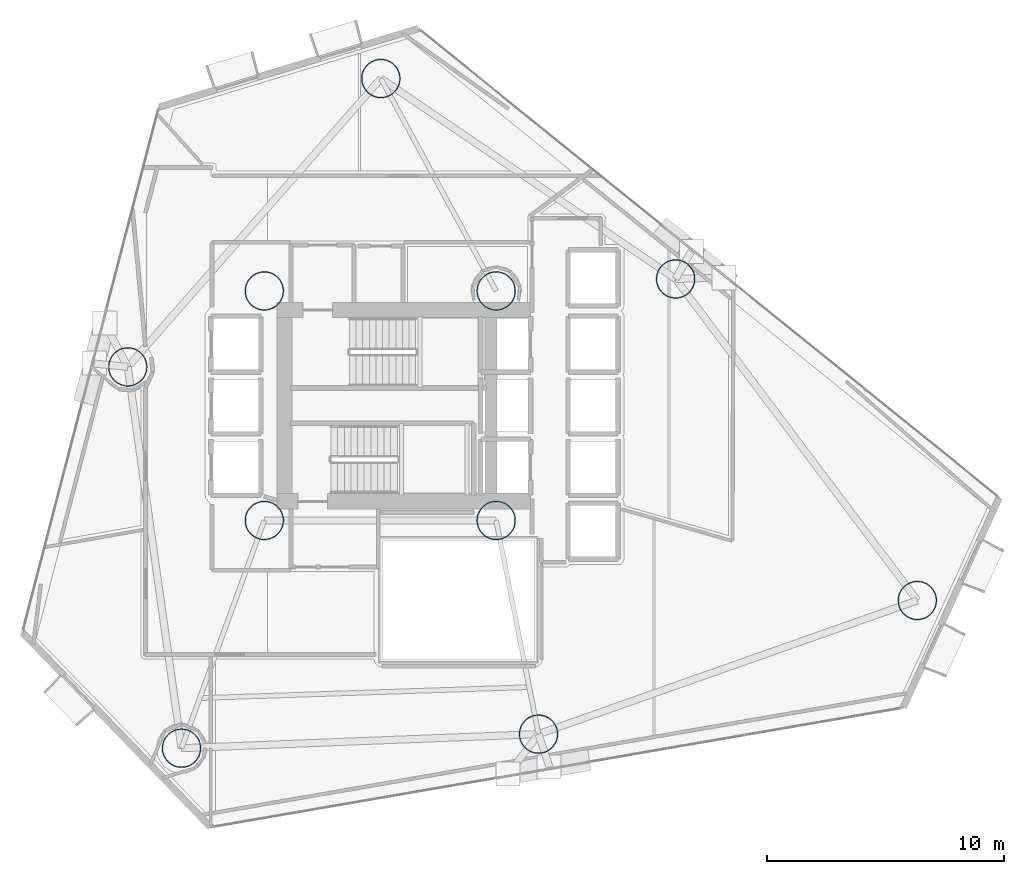
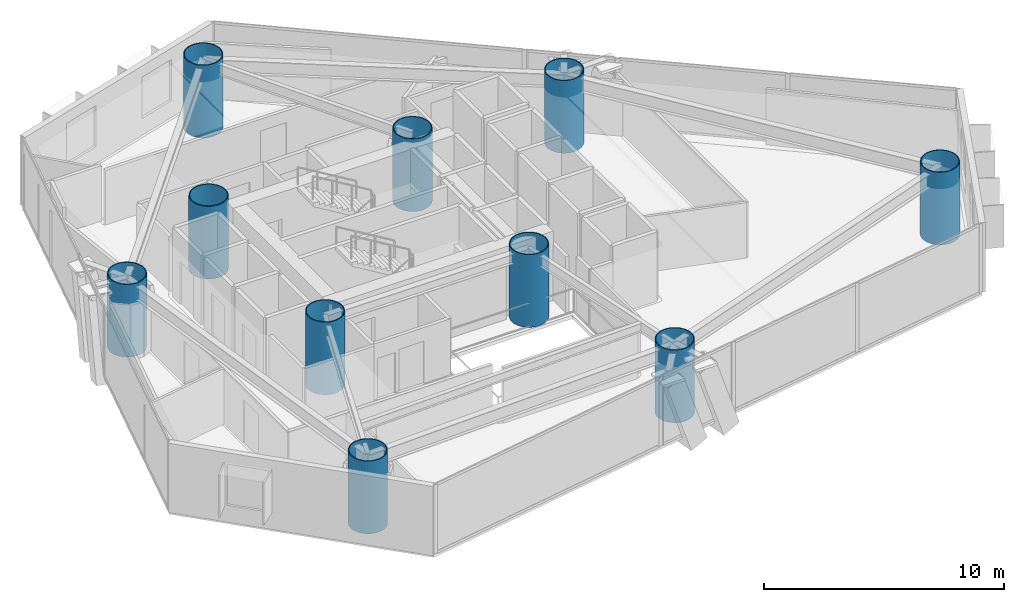
# One storey, part 1 of 23: 10 columns.
"""IFC4 building model written with IfcOpenShell, lengths in metres."""

from ifc_helpers import new_model, si_unit, direction, frame, origin, origin_2d, place, context, subcontext, project, spatial, hollow_circle, extrude, material, material_profile, profile_set, type_object, element, save


model = new_model("IFC4")

# Units and contexts
model_context = context("Model", 3, precision=1e-05, world=origin(), true_north=direction((0.0, 1.0)))
body_context = subcontext(model_context, "Body", "Model", "MODEL_VIEW")
ifc_project = project(units=[si_unit("LENGTHUNIT", "METRE"), si_unit("AREAUNIT", "SQUARE_METRE"), si_unit("VOLUMEUNIT", "CUBIC_METRE"), si_unit("PLANEANGLEUNIT", "RADIAN"), si_unit("MASSUNIT", "GRAM", prefix="KILO")], contexts=[model_context])

# Site, building, storey
site_placement = place(None, origin())
site = spatial("IfcSite", under=ifc_project, at=site_placement, CompositionType="ELEMENT")
building_placement = place(site_placement, origin())
building = spatial("IfcBuilding", under=site, at=building_placement, Name="Qianvela Tower", CompositionType="ELEMENT")
storey_placement = place(building_placement, frame((0.0, 0.0, 82.10009765625)))
storey = spatial("IfcBuildingStorey", under=building, at=storey_placement, Name="L20", CompositionType="ELEMENT", Elevation=82.10009765625)

# Columns
ifc_material = material(Name="Steel Q420GJC", Category="steel")
ifc_material_profile = material_profile(ifc_material, hollow_circle(Radius=0.824951171875, WallThickness=0.0400390625, at=origin_2d()), Name="CFT-1650x40")
ifc_profile_set = profile_set([ifc_material_profile], Name="Steel Q420GJC")
column_type = type_object("IfcColumnType", Name="COL-CFT-1650x40", PredefinedType="COLUMN", material=ifc_profile_set)
for number, where, z_axis, x_axis, name in (
    (1, (28.60009765625, 33.550048828125, 0.0), (0.0, 0.0, 1.0), (1.0, 0.0, 0.0), "L20 Core Corner Mega-Column CC-NW"),
    (2, (28.60009765625, 23.85009765625, 0.0), (0.0, 0.0, 1.0), (1.0, 0.0, 0.0), "L20 Core Corner Mega-Column CC-SW"),
    (3, (38.39990234375, 33.550048828125, 0.0), (0.0, 0.0, 1.0), (1.0, 0.0, 0.0), "L20 Core Corner Mega-Column CC-NE"),
    (4, (38.39990234375, 23.85009765625, 0.0), (0.0, 0.0, 1.0), (1.0, 0.0, 0.0), "L20 Core Corner Mega-Column CC-SE"),
    (5, (56.198974609375, 20.468017578125, 0.0), (0.0, 0.0, 1.0), (1.0, 0.0, 0.0), "L20 Zone Z2 CFT Mega-Column C1"),
    (6, (45.98388671875, 34.056884765625, 0.0), (0.0, 0.0, 1.0), (1.0, 0.0, 0.0), "L20 Zone Z2 CFT Mega-Column C2"),
    (7, (33.52587890625, 42.529052734375, 0.0), (0.0, 0.0, 1.0), (1.0, 0.0, 0.0), "L20 Zone Z2 CFT Mega-Column C3"),
    (8, (22.8291015625, 30.340087890625, 0.0), (0.0, 0.0, 1.0), (1.0, 0.0, 0.0), "L20 Zone Z2 CFT Mega-Column C4"),
    (9, (25.10009765625, 14.22509765625, 0.0), (0.0, 0.0, 1.0), (1.0, 0.0, 0.0), "L20 Zone Z2 CFT Mega-Column C5"),
    (10, (40.18896484375, 14.819091796875, 0.0), (0.0, 0.0, 1.0), (1.0, 0.0, 0.0), "L20 Zone Z2 CFT Mega-Column C6"),
):
    element("IfcColumn", number, at=place(storey_placement, frame(where, z_axis=z_axis, x_axis=x_axis)), inside=storey, type_object=column_type, Name=name, PredefinedType="COLUMN", context=body_context, shape_type="SweptSolid", body=[
        extrude(hollow_circle(Radius=0.824951171875, WallThickness=0.0400390625, at=origin_2d()), origin(), (0.0, 0.0, 1.0), 3.699951171875),
    ])

save(model, "model.ifc")
